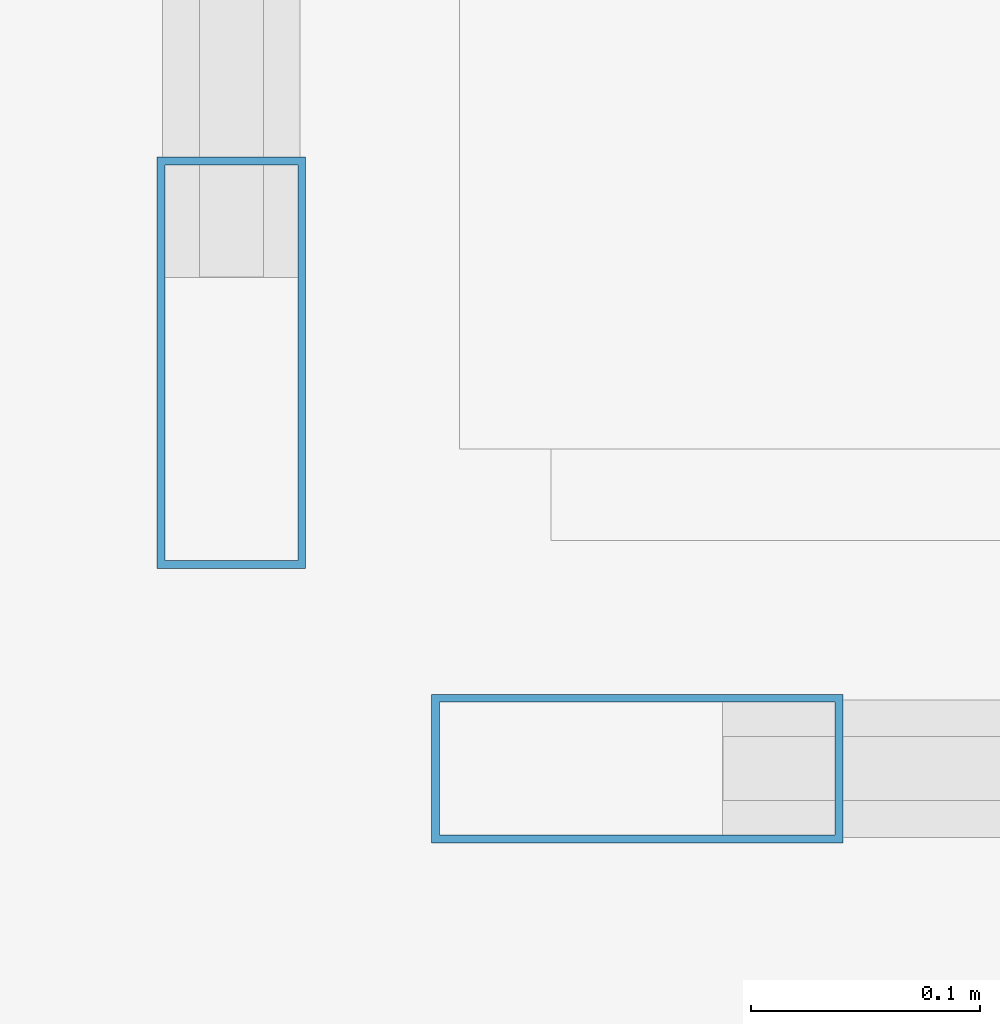
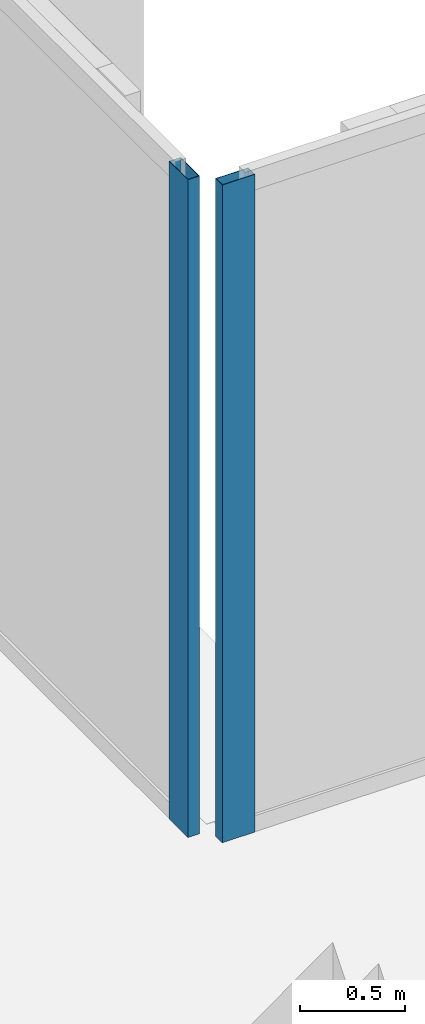
# One storey, part 19 of 30: 2 members, 2 elements without a shape of their own.
"""IFC4 building model written with IfcOpenShell, lengths in metres."""

from ifc_helpers import new_model, si_unit, direction, frame, origin, origin_2d, place, context, subcontext, project, spatial, hollow_rectangle, extrude, material, layer, layer_set, material_profile, profile_set, type_object, element, aggregate, save


model = new_model("IFC4")

# Units and contexts
model_context = context("Model", 3, precision=1e-05, world=origin(), true_north=direction((0.0, 1.0)))
body_context = subcontext(model_context, "Body", "Model", "MODEL_VIEW")
ifc_project = project(units=[si_unit("LENGTHUNIT", "METRE"), si_unit("AREAUNIT", "SQUARE_METRE"), si_unit("VOLUMEUNIT", "CUBIC_METRE"), si_unit("PLANEANGLEUNIT", "RADIAN"), si_unit("MASSUNIT", "GRAM", prefix="KILO")], contexts=[model_context])

# Site, building, storey
site_placement = place(None, origin())
site = spatial("IfcSite", under=ifc_project, at=site_placement, CompositionType="ELEMENT")
building_placement = place(site_placement, origin())
building = spatial("IfcBuilding", under=site, at=building_placement, Name="Nerrivon Quay Data Exchange", CompositionType="ELEMENT")
storey_placement = place(building_placement, frame((0.0, 0.0, 171.39990234375)))
storey = spatial("IfcBuildingStorey", under=building, at=storey_placement, Name="L40", CompositionType="ELEMENT", Elevation=171.39990234375)

# Curtain wall, member
ifc_material = material(Name="Anodised aluminium 6063-T6", Category="aluminium")
ifc_layer = layer(ifc_material, 0.195068359375)
ifc_layer_set = layer_set([ifc_layer], Name="Anodised aluminium 6063-T6")
curtain_wall_type = type_object("IfcCurtainWallType", Name="CW-SYS-06", PredefinedType="NOTDEFINED", material=ifc_layer_set)
curtain_wall_1_placement = place(storey_placement, origin())
curtain_wall_1 = element("IfcCurtainWall", 1, at=curtain_wall_1_placement, inside=storey, type_object=curtain_wall_type, Name="L40 Unitised Curtain Wall 11", PredefinedType="NOTDEFINED")
ifc_material_profile = material_profile(ifc_material, hollow_rectangle(XDim=0.06494140625, YDim=0.179931640625, WallThickness=0.00341796875, at=origin_2d()), Name="ALU-MULL-180x65")
ifc_profile_set = profile_set([ifc_material_profile], Name="Anodised aluminium 6063-T6")
member_type = type_object("IfcMemberType", Name="CWM-180x65", PredefinedType="MULLION", material=ifc_profile_set)
member_1_placement = place(storey_placement, frame((20.860107421875, 46.237548828125, 0.0), z_axis=(0.0, 0.0, 1.0), x_axis=(1.0, 0.0, 0.0)))
member_1 = element("IfcMember", 2, at=member_1_placement, type_object=member_type, Name="CW06 mullion 2", PredefinedType="MULLION", context=body_context, shape_type="SweptSolid", body=[
    extrude(hollow_rectangle(XDim=0.06494140625, YDim=0.179931640625, WallThickness=0.00341796875, at=origin_2d()), origin(), (0.0, 0.0, 1.0), 3.8251953125),
])
aggregate(curtain_wall_1, [member_1])

curtain_wall_2_placement = place(storey_placement, origin())
curtain_wall_2 = element("IfcCurtainWall", 3, at=curtain_wall_2_placement, inside=storey, type_object=curtain_wall_type, Name="L40 Unitised Curtain Wall 12", PredefinedType="NOTDEFINED")
member_2_placement = place(storey_placement, frame((21.03759765625, 46.06005859375, 0.0), z_axis=(0.0, 0.0, 1.0), x_axis=(0.0, 1.0, 0.0)))
member_2 = element("IfcMember", 4, at=member_2_placement, type_object=member_type, Name="CW06 mullion 1", PredefinedType="MULLION", context=body_context, shape_type="SweptSolid", body=[
    extrude(hollow_rectangle(XDim=0.06494140625, YDim=0.179931640625, WallThickness=0.00341796875, at=origin_2d()), origin(), (0.0, 0.0, 1.0), 3.8251953125),
])
aggregate(curtain_wall_2, [member_2])

save(model, "model.ifc")
